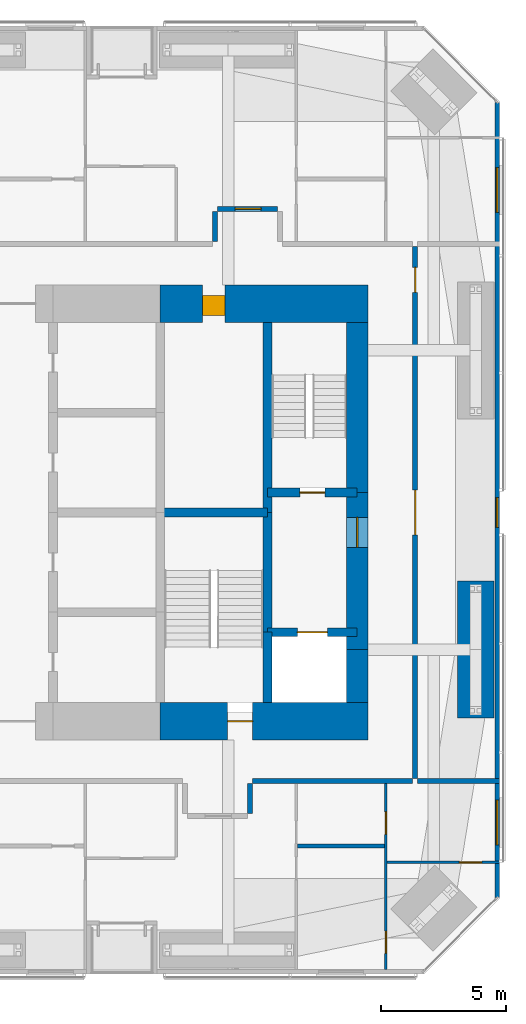
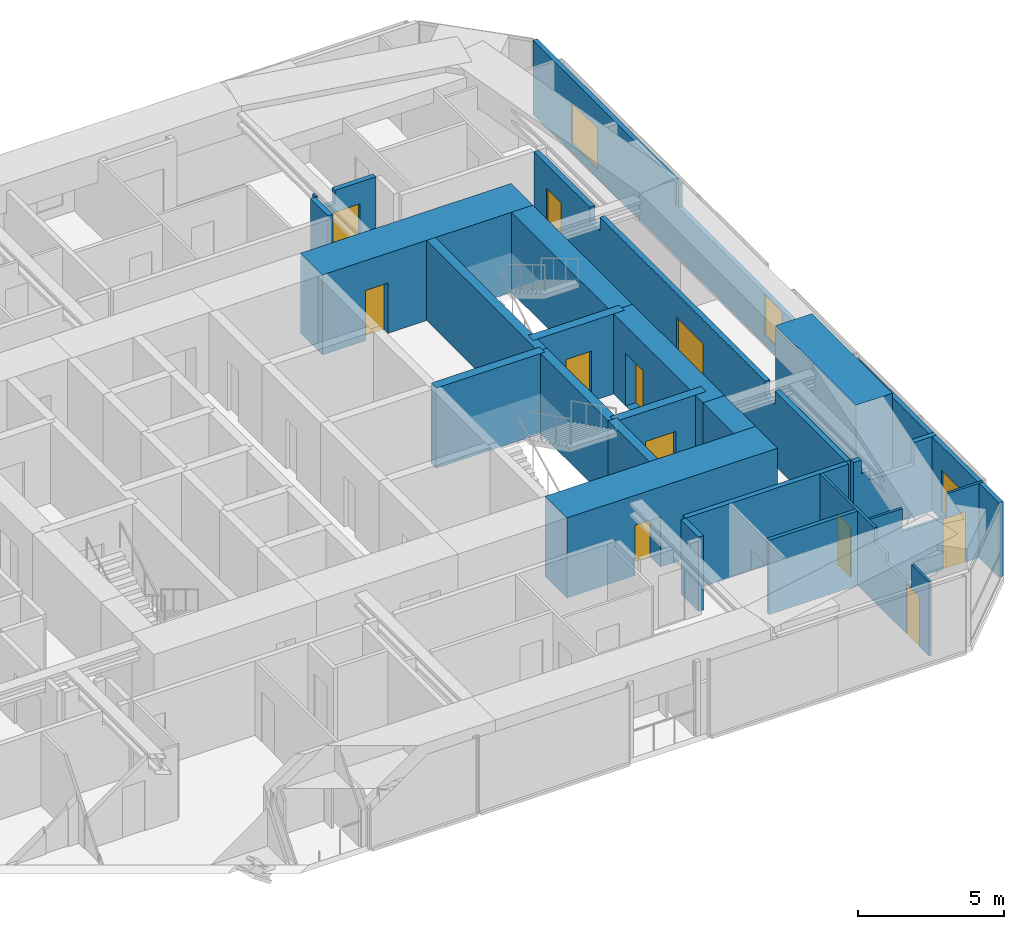
# One storey, part 21 of 24: 22 walls, 11 doors, 3 windows, 14 openings.
"""IFC4 building model written with IfcOpenShell, lengths in metres."""

from ifc_helpers import new_model, si_unit, direction, frame, frame_2d, origin, place, context, subcontext, project, spatial, polyline, rectangle, outline, extrude, material, layer, layer_set, constituent, constituent_set, type_object, element, fill, save


model = new_model("IFC4")

# Units and contexts
model_context = context("Model", 3, precision=1e-05, world=origin(), true_north=direction((0.0, 1.0)))
body_context = subcontext(model_context, "Body", "Model", "MODEL_VIEW")
ifc_project = project(units=[si_unit("LENGTHUNIT", "METRE"), si_unit("AREAUNIT", "SQUARE_METRE"), si_unit("VOLUMEUNIT", "CUBIC_METRE"), si_unit("PLANEANGLEUNIT", "RADIAN"), si_unit("MASSUNIT", "GRAM", prefix="KILO")], contexts=[model_context])

# Site, building, storey
site_placement = place(None, origin())
site = spatial("IfcSite", under=ifc_project, at=site_placement, CompositionType="ELEMENT")
building_placement = place(site_placement, origin())
building = spatial("IfcBuilding", under=site, at=building_placement, Name="Jalousie Tower", CompositionType="ELEMENT")
storey_placement = place(building_placement, frame((0.0, 0.0, 128.300048828125)))
storey = spatial("IfcBuildingStorey", under=building, at=storey_placement, Name="L35", CompositionType="ELEMENT", Elevation=128.300048828125)

# Wall
ifc_material_1 = material(Name="Concrete block ASTM C90", Category="concrete")
ifc_constituent_1 = constituent(ifc_material_1, Name="Body")
ifc_material_2 = material(Name="Render")
ifc_constituent_2 = constituent(ifc_material_2, Name="Finish")
ifc_constituent_set_1 = constituent_set(constituents=[ifc_constituent_1, ifc_constituent_2])
wall_type_1 = type_object("IfcWallType", Name="BATHROOM WALL 150", PredefinedType="PLUMBINGWALL", material=ifc_constituent_set_1)
wall_1_placement = place(storey_placement, frame((41.39990234375, 5.125, 0.0), z_axis=(0.0, 0.0, 1.0), x_axis=(1.0, 0.0, 0.0)))
element("IfcWall", 1, at=wall_1_placement, inside=storey, type_object=wall_type_1, Name="Bathroom Wall 150 L35", PredefinedType="PLUMBINGWALL", context=body_context, shape_type="SweptSolid", body=[
    extrude(rectangle(XDim=3.5, YDim=0.14990234375, at=frame_2d((1.75, 0.0))), origin(), (0.0, 0.0, 1.0), 3.10986328125),
])

# Wall, opening, door
ifc_material_3 = material(Name="Concrete f'c 120 MPa", Category="concrete")
ifc_layer_1 = layer(ifc_material_3, 1.5)
ifc_layer_set_1 = layer_set([ifc_layer_1], Name="Concrete f'c 120 MPa")
wall_type_2 = type_object("IfcWallType", Name="CORE WALL 1500", PredefinedType="SHEAR", material=ifc_layer_set_1)
wall_2_placement = place(storey_placement, frame((35.89990234375, 10.125, 0.0), z_axis=(0.0, 0.0, 1.0), x_axis=(1.0, 0.0, 0.0)))
wall_2 = element("IfcWall", 2, at=wall_2_placement, inside=storey, type_object=wall_type_2, Name="Core wall SD L35", PredefinedType="SHEAR", context=body_context, shape_type="SweptSolid", body=[
    extrude(rectangle(XDim=8.3251953125, YDim=1.5, at=frame_2d((4.16259765625, 0.0))), origin(), (0.0, 0.0, 1.0), 3.349853515625),
])
opening_1_placement = place(wall_2_placement, frame((2.699951171875, 0.0, 0.0)))
opening_1 = element("IfcOpeningElement", 3, at=opening_1_placement, cuts=wall_2, Name="Opening D10", PredefinedType="OPENING", context=body_context, shape_type="SweptSolid", body=[
    extrude(rectangle(XDim=1.0, YDim=2.10009765625, at=frame_2d((0.5, 1.050048828125))), frame((0.0, 0.760009765625, 0.0), z_axis=(0.0, -1.0, 0.0), x_axis=(1.0, 0.0, 0.0)), (0.0, 0.0, 1.0), 1.52001953125),
])
ifc_material_4 = material(Name="Steel fire door", Category="steel")
door_type_1 = type_object("IfcDoorType", Name="STAIR DOOR 1000", OperationType="SINGLE_SWING_LEFT", PredefinedType="DOOR", material=ifc_material_4)
door_1_placement = place(opening_1_placement, origin())
door_1 = element("IfcDoor", 4, at=door_1_placement, inside=storey, type_object=door_type_1, Name="Exit stair C door", OperationType="SINGLE_SWING_RIGHT", OverallHeight=2.10009765625, OverallWidth=1.0, PredefinedType="DOOR", context=body_context, shape_type="SweptSolid", body=[
    extrude(rectangle(XDim=1.0, YDim=2.10009765625, at=frame_2d((0.5, 1.050048828125))), frame((0.0, 0.02490234375, 0.0), z_axis=(0.0, -1.0, 0.0), x_axis=(1.0, 0.0, 0.0)), (0.0, 0.0, 1.0), 0.050048828125),
])
fill(opening_1, door_1)

wall_3_placement = place(storey_placement, frame((44.22509765625, 26.875, 0.0), z_axis=(0.0, 0.0, 1.0), x_axis=(-1.0, 0.0, 0.0)))
wall_3 = element("IfcWall", 5, at=wall_3_placement, inside=storey, type_object=wall_type_2, Name="Core wall NA L35", PredefinedType="SHEAR", context=body_context, shape_type="SweptSolid", body=[
    extrude(rectangle(XDim=8.3251953125, YDim=1.5, at=frame_2d((4.16259765625, 0.0))), origin(), (0.0, 0.0, 1.0), 3.349853515625),
])
opening_2_placement = place(wall_3_placement, frame((5.72509765625, 0.0, 0.0)))
opening_2 = element("IfcOpeningElement", 6, at=opening_2_placement, cuts=wall_3, Name="Opening D18", PredefinedType="OPENING", context=body_context, shape_type="SweptSolid", body=[
    extrude(rectangle(XDim=0.89990234375, YDim=2.10009765625, at=frame_2d((0.449951171875, 1.050048828125))), frame((0.0, 0.760009765625, 0.0), z_axis=(0.0, -1.0, 0.0), x_axis=(1.0, 0.0, 0.0)), (0.0, 0.0, 1.0), 1.52001953125),
])
ifc_material_5 = material(Name="Steel fire door", Category="steel")
door_type_2 = type_object("IfcDoorType", Name="CLEANER'S STORE DOOR 900", OperationType="SINGLE_SWING_LEFT", PredefinedType="DOOR", material=ifc_material_5)
door_2_placement = place(opening_2_placement, origin())
door_2 = element("IfcDoor", 7, at=door_2_placement, inside=storey, type_object=door_type_2, Name="Cleaner's store door", OperationType="SINGLE_SWING_LEFT", OverallHeight=2.10009765625, OverallWidth=0.89990234375, PredefinedType="DOOR", context=body_context, shape_type="SweptSolid", body=[
    extrude(rectangle(XDim=0.89990234375, YDim=2.10009765625, at=frame_2d((0.449951171875, 1.050048828125))), frame((0.0, 0.47021484375, 0.0), z_axis=(0.0, -1.0, 0.0), x_axis=(1.0, 0.0, 0.0)), (0.0, 0.0, 1.0), 0.800048828125),
])
fill(opening_2, door_2)

# Walls
ifc_material_6 = material(Name="Concrete f'c 120 MPa", Category="concrete")
ifc_layer_2 = layer(ifc_material_6, 0.35009765625)
ifc_layer_set_2 = layer_set([ifc_layer_2], Name="Concrete f'c 120 MPa")
wall_type_3 = type_object("IfcWallType", Name="CORE WALL 350", PredefinedType="SHEAR", material=ifc_layer_set_2)
wall_4_placement = place(storey_placement, frame((40.199951171875, 10.875, 0.0), z_axis=(0.0, 0.0, 1.0), x_axis=(0.0, 1.0, 0.0)))
element("IfcWall", 8, at=wall_4_placement, inside=storey, type_object=wall_type_3, Name="Core wall X40.2A L35", PredefinedType="SHEAR", context=body_context, shape_type="SweptSolid", body=[
    extrude(rectangle(XDim=2.824951171875, YDim=0.35009765625, at=frame_2d((1.41259765625, 0.0))), origin(), (0.0, 0.0, 1.0), 3.349853515625),
])
wall_5_placement = place(storey_placement, frame((40.199951171875, 13.699951171875, 0.0), z_axis=(0.0, 0.0, 1.0), x_axis=(0.0, 1.0, 0.0)))
element("IfcWall", 9, at=wall_5_placement, inside=storey, type_object=wall_type_3, Name="Core wall X40.2B L35", PredefinedType="SHEAR", context=body_context, shape_type="SweptSolid", body=[
    extrude(rectangle(XDim=4.800048828125, YDim=0.35009765625, at=frame_2d((2.39990234375, 0.0))), origin(), (0.0, 0.0, 1.0), 3.349853515625),
])
wall_6_placement = place(storey_placement, frame((40.199951171875, 18.5, 0.0), z_axis=(0.0, 0.0, 1.0), x_axis=(0.0, 1.0, 0.0)))
element("IfcWall", 10, at=wall_6_placement, inside=storey, type_object=wall_type_3, Name="Core wall X40.2C L35", PredefinedType="SHEAR", context=body_context, shape_type="SweptSolid", body=[
    extrude(rectangle(XDim=7.625, YDim=0.35009765625, at=frame_2d((3.8125, 0.0))), origin(), (0.0, 0.0, 1.0), 3.349853515625),
])
wall_7_placement = place(storey_placement, frame((35.89990234375, 18.5, 0.0), z_axis=(0.0, 0.0, 1.0), x_axis=(1.0, 0.0, 0.0)))
element("IfcWall", 11, at=wall_7_placement, inside=storey, type_object=wall_type_3, Name="Core wall Y35.9-18.5 L35", PredefinedType="SHEAR", context=body_context, shape_type="SweptSolid", body=[
    extrude(rectangle(XDim=4.300048828125, YDim=0.35009765625, at=frame_2d((2.14990234375, 0.0))), origin(), (0.0, 0.0, 1.0), 3.349853515625),
])

# Wall, opening, door
wall_8_placement = place(storey_placement, frame((40.199951171875, 13.699951171875, 0.0), z_axis=(0.0, 0.0, 1.0), x_axis=(1.0, 0.0, 0.0)))
wall_8 = element("IfcWall", 12, at=wall_8_placement, inside=storey, type_object=wall_type_3, Name="Core wall Y40.2-13.7 L35", PredefinedType="SHEAR", context=body_context, shape_type="SweptSolid", body=[
    extrude(rectangle(XDim=3.60009765625, YDim=0.35009765625, at=frame_2d((1.800048828125, 0.0))), origin(), (0.0, 0.0, 1.0), 3.349853515625),
])
opening_3_placement = place(wall_8_placement, frame((1.199951171875, 0.0, 0.0)))
opening_3 = element("IfcOpeningElement", 13, at=opening_3_placement, cuts=wall_8, Name="Opening LD2", PredefinedType="OPENING", context=body_context, shape_type="SweptSolid", body=[
    extrude(rectangle(XDim=1.199951171875, YDim=2.10009765625, at=frame_2d((0.60009765625, 1.050048828125))), frame((0.0, 0.18505859375, 0.0), z_axis=(0.0, -1.0, 0.0), x_axis=(1.0, 0.0, 0.0)), (0.0, 0.0, 1.0), 0.3701171875),
])
ifc_material_7 = material(Name="Steel lift landing door", Category="steel")
door_type_3 = type_object("IfcDoorType", Name="LIFT LANDING DOOR 1200", OperationType="SLIDING_TO_LEFT", PredefinedType="DOOR", material=ifc_material_7)
door_3_placement = place(opening_3_placement, origin())
door_3 = element("IfcDoor", 14, at=door_3_placement, inside=storey, type_object=door_type_3, Name="Lift F2 landing door", OperationType="SLIDING_TO_LEFT", OverallHeight=2.10009765625, OverallWidth=1.199951171875, PredefinedType="DOOR", context=body_context, shape_type="SweptSolid", body=[
    extrude(rectangle(XDim=1.199951171875, YDim=2.10009765625, at=frame_2d((0.60009765625, 1.050048828125))), frame((0.0, 0.02490234375, 0.0), z_axis=(0.0, -1.0, 0.0), x_axis=(1.0, 0.0, 0.0)), (0.0, 0.0, 1.0), 0.050048828125),
])
fill(opening_3, door_3)

wall_9_placement = place(storey_placement, frame((40.199951171875, 19.300048828125, 0.0), z_axis=(0.0, 0.0, 1.0), x_axis=(1.0, 0.0, 0.0)))
wall_9 = element("IfcWall", 15, at=wall_9_placement, inside=storey, type_object=wall_type_3, Name="Core wall Y40.2-19.3 L35", PredefinedType="SHEAR", context=body_context, shape_type="SweptSolid", body=[
    extrude(rectangle(XDim=3.60009765625, YDim=0.35009765625, at=frame_2d((1.800048828125, 0.0))), origin(), (0.0, 0.0, 1.0), 3.349853515625),
])
opening_4_placement = place(wall_9_placement, frame((1.300048828125, 0.0, 0.0)))
opening_4 = element("IfcOpeningElement", 16, at=opening_4_placement, cuts=wall_9, Name="Opening D10", PredefinedType="OPENING", context=body_context, shape_type="SweptSolid", body=[
    extrude(rectangle(XDim=1.0, YDim=2.10009765625, at=frame_2d((0.5, 1.050048828125))), frame((0.0, 0.18505859375, 0.0), z_axis=(0.0, -1.0, 0.0), x_axis=(1.0, 0.0, 0.0)), (0.0, 0.0, 1.0), 0.3701171875),
])
door_4_placement = place(opening_4_placement, origin())
door_4 = element("IfcDoor", 17, at=door_4_placement, inside=storey, type_object=door_type_1, Name="Exit stair B door", OperationType="SINGLE_SWING_RIGHT", OverallHeight=2.10009765625, OverallWidth=1.0, PredefinedType="DOOR", context=body_context, shape_type="SweptSolid", body=[
    extrude(rectangle(XDim=1.0, YDim=2.10009765625, at=frame_2d((0.5, 1.050048828125))), frame((0.0, 0.02490234375, 0.0), z_axis=(0.0, -1.0, 0.0), x_axis=(1.0, 0.0, 0.0)), (0.0, 0.0, 1.0), 0.050048828125),
])
fill(opening_4, door_4)

# Wall
ifc_material_8 = material(Name="Concrete f'c 120 MPa", Category="concrete")
ifc_layer_3 = layer(ifc_material_8, 0.85009765625)
ifc_layer_set_3 = layer_set([ifc_layer_3], Name="Concrete f'c 120 MPa")
wall_type_4 = type_object("IfcWallType", Name="CORE WALL 850", PredefinedType="SHEAR", material=ifc_layer_set_3)
wall_10_placement = place(storey_placement, frame((43.800048828125, 10.875, 0.0), z_axis=(0.0, 0.0, 1.0), x_axis=(0.0, 1.0, 0.0)))
element("IfcWall", 18, at=wall_10_placement, inside=storey, type_object=wall_type_4, Name="Core wall EA L35", PredefinedType="SHEAR", context=body_context, shape_type="SweptSolid", body=[
    extrude(rectangle(XDim=2.125, YDim=0.85009765625, at=frame_2d((1.0625, 0.0))), origin(), (0.0, 0.0, 1.0), 3.349853515625),
])

# Wall, opening, door
wall_11_placement = place(storey_placement, frame((43.800048828125, 13.0, 0.0), z_axis=(0.0, 0.0, 1.0), x_axis=(0.0, 1.0, 0.0)))
wall_11 = element("IfcWall", 19, at=wall_11_placement, inside=storey, type_object=wall_type_4, Name="Core wall EB L35", PredefinedType="SHEAR", context=body_context, shape_type="SweptSolid", body=[
    extrude(rectangle(XDim=6.300048828125, YDim=0.85009765625, at=frame_2d((3.14990234375, 0.0))), origin(), (0.0, 0.0, 1.0), 3.349853515625),
])
opening_5_placement = place(wall_11_placement, frame((4.10009765625, 0.0, 0.0)))
opening_5 = element("IfcOpeningElement", 20, at=opening_5_placement, cuts=wall_11, Name="Opening D11", PredefinedType="OPENING", context=body_context, shape_type="SweptSolid", body=[
    extrude(rectangle(XDim=1.199951171875, YDim=2.199951171875, at=frame_2d((0.60009765625, 1.10009765625))), frame((0.0, 0.43505859375, 0.0), z_axis=(0.0, -1.0, 0.0), x_axis=(1.0, 0.0, 0.0)), (0.0, 0.0, 1.0), 0.8701171875),
])
ifc_material_9 = material(Name="Steel fire door", Category="steel")
door_type_4 = type_object("IfcDoorType", Name="FIRE DOOR 1200", OperationType="SINGLE_SWING_LEFT", PredefinedType="DOOR", material=ifc_material_9)
door_5_placement = place(opening_5_placement, origin())
door_5 = element("IfcDoor", 21, at=door_5_placement, inside=storey, type_object=door_type_4, Name="Fire-fighting lobby B door", OperationType="SINGLE_SWING_RIGHT", OverallHeight=2.199951171875, OverallWidth=1.199951171875, PredefinedType="DOOR", context=body_context, shape_type="SweptSolid", body=[
    extrude(rectangle(XDim=1.199951171875, YDim=2.199951171875, at=frame_2d((0.60009765625, 1.10009765625))), frame((0.0, 0.02490234375, 0.0), z_axis=(0.0, -1.0, 0.0), x_axis=(1.0, 0.0, 0.0)), (0.0, 0.0, 1.0), 0.050048828125),
])
fill(opening_5, door_5)

# Wall
wall_12_placement = place(storey_placement, frame((43.800048828125, 19.300048828125, 0.0), z_axis=(0.0, 0.0, 1.0), x_axis=(0.0, 1.0, 0.0)))
element("IfcWall", 22, at=wall_12_placement, inside=storey, type_object=wall_type_4, Name="Core wall EC L35", PredefinedType="SHEAR", context=body_context, shape_type="SweptSolid", body=[
    extrude(rectangle(XDim=6.824951171875, YDim=0.85009765625, at=frame_2d((3.41259765625, 0.0))), origin(), (0.0, 0.0, 1.0), 3.349853515625),
])

# Wall, openings, doors
ifc_material_10 = material(Name="Concrete block ASTM C90", Category="concrete")
ifc_constituent_3 = constituent(ifc_material_10, Name="Body")
ifc_material_11 = material(Name="Render")
ifc_constituent_4 = constituent(ifc_material_11, Name="Finish")
ifc_constituent_set_2 = constituent_set(constituents=[ifc_constituent_3, ifc_constituent_4])
wall_type_5 = type_object("IfcWallType", Name="CORRIDOR WALL 200", PredefinedType="PARTITIONING", material=ifc_constituent_set_2)
wall_13_placement = place(storey_placement, frame((46.125, 7.824951171875, 0.0), z_axis=(0.0, 0.0, 1.0), x_axis=(0.0, 1.0, 0.0)))
wall_13 = element("IfcWall", 23, at=wall_13_placement, inside=storey, type_object=wall_type_5, Name="Corridor Wall 200 L35", PredefinedType="PARTITIONING", context=body_context, shape_type="SweptSolid", body=[
    extrude(outline(polyline([(0.0, 0.0), (21.35009765625, 0.0), (21.35009765625, 3.10986328125), (17.512451171875, 3.10986328125), (17.512451171875, 2.541015625), (16.837646484375, 2.541015625), (16.837646484375, 3.10986328125), (5.51220703125, 3.10986328125), (5.51220703125, 2.541015625), (4.837646484375, 2.541015625), (4.837646484375, 3.10986328125), (0.0, 3.10986328125), (0.0, 0.0)])), frame((0.0, 0.10009765625, 0.0), z_axis=(0.0, -1.0, 0.0), x_axis=(1.0, 0.0, 0.0)), (0.0, 0.0, 1.0), 0.199951171875),
])
opening_6_placement = place(wall_13_placement, frame((9.77490234375, 0.0, 0.0)))
opening_6 = element("IfcOpeningElement", 24, at=opening_6_placement, cuts=wall_13, Name="Opening D22", PredefinedType="OPENING", context=body_context, shape_type="SweptSolid", body=[
    extrude(rectangle(XDim=1.800048828125, YDim=2.10009765625, at=frame_2d((0.89990234375, 1.050048828125))), frame((0.0, 0.10986328125, 0.0), z_axis=(0.0, -1.0, 0.0), x_axis=(1.0, 0.0, 0.0)), (0.0, 0.0, 1.0), 0.219970703125),
])
opening_7_placement = place(wall_13_placement, frame((19.5, 0.0, 0.0)))
opening_7 = element("IfcOpeningElement", 25, at=opening_7_placement, cuts=wall_13, Name="Opening D21", PredefinedType="OPENING", context=body_context, shape_type="SweptSolid", body=[
    extrude(rectangle(XDim=1.0, YDim=2.10009765625, at=frame_2d((0.5, 1.050048828125))), frame((0.0, 0.10986328125, 0.0), z_axis=(0.0, -1.0, 0.0), x_axis=(1.0, 0.0, 0.0)), (0.0, 0.0, 1.0), 0.219970703125),
])
ifc_material_12 = material(Name="Timber fire door", Category="wood")
door_type_5 = type_object("IfcDoorType", Name="CORRIDOR DOOR 1000", OperationType="SINGLE_SWING_LEFT", PredefinedType="DOOR", material=ifc_material_12)
door_6_placement = place(opening_7_placement, frame((1.0, 0.0, 0.0), z_axis=(0.0, 0.0, 1.0), x_axis=(-1.0, 0.0, 0.0)))
door_6 = element("IfcDoor", 26, at=door_6_placement, inside=storey, type_object=door_type_5, Name="Lounge second door", OperationType="SINGLE_SWING_LEFT", OverallHeight=2.10009765625, OverallWidth=1.0, PredefinedType="DOOR", context=body_context, shape_type="SweptSolid", body=[
    extrude(rectangle(XDim=1.0, YDim=2.10009765625, at=frame_2d((0.5, 1.050048828125))), frame((0.0, 0.02490234375, 0.0), z_axis=(0.0, -1.0, 0.0), x_axis=(1.0, 0.0, 0.0)), (0.0, 0.0, 1.0), 0.050048828125),
])
fill(opening_7, door_6)
ifc_material_13 = material(Name="Timber fire door", Category="wood")
door_type_6 = type_object("IfcDoorType", Name="CORRIDOR DOUBLE DOOR 1800", OperationType="DOUBLE_DOOR_SINGLE_SWING", PredefinedType="DOOR", material=ifc_material_13)
door_7_placement = place(opening_6_placement, frame((1.800048828125, 0.0, 0.0), z_axis=(0.0, 0.0, 1.0), x_axis=(-1.0, 0.0, 0.0)))
door_7 = element("IfcDoor", 27, at=door_7_placement, inside=storey, type_object=door_type_6, Name="Lounge door", OperationType="DOUBLE_DOOR_SINGLE_SWING", OverallHeight=2.10009765625, OverallWidth=1.800048828125, PredefinedType="DOOR", context=body_context, shape_type="SweptSolid", body=[
    extrude(rectangle(XDim=1.800048828125, YDim=2.10009765625, at=frame_2d((0.89990234375, 1.050048828125))), frame((0.0, 0.02490234375, 0.0), z_axis=(0.0, -1.0, 0.0), x_axis=(1.0, 0.0, 0.0)), (0.0, 0.0, 1.0), 0.050048828125),
])
fill(opening_6, door_7)

# Walls
wall_14_placement = place(storey_placement, frame((39.60009765625, 7.72509765625, 0.0), z_axis=(0.0, 0.0, 1.0), x_axis=(1.0, 0.0, 0.0)))
element("IfcWall", 28, at=wall_14_placement, inside=storey, type_object=wall_type_5, Name="Corridor Wall 200 L35", PredefinedType="PARTITIONING", context=body_context, shape_type="SweptSolid", body=[
    extrude(rectangle(XDim=6.4248046875, YDim=0.199951171875, at=frame_2d((3.21240234375, 0.0))), origin(), (0.0, 0.0, 1.0), 3.10986328125),
])
wall_15_placement = place(storey_placement, frame((39.5, 7.625, 0.0), z_axis=(0.0, 0.0, 1.0), x_axis=(0.0, -1.0, 0.0)))
element("IfcWall", 29, at=wall_15_placement, inside=storey, type_object=wall_type_5, Name="Corridor Wall 200 L35", PredefinedType="PARTITIONING", context=body_context, shape_type="SweptSolid", body=[
    extrude(rectangle(XDim=1.199951171875, YDim=0.199951171875, at=frame_2d((0.60009765625, 0.0))), origin(), (0.0, 0.0, 1.0), 3.10986328125),
])

# Wall, opening, door
wall_16_placement = place(storey_placement, frame((38.199951171875, 30.675048828125, 0.0), z_axis=(0.0, 0.0, 1.0), x_axis=(1.0, 0.0, 0.0)))
wall_16 = element("IfcWall", 30, at=wall_16_placement, inside=storey, type_object=wall_type_5, Name="Corridor Wall 200 L35", PredefinedType="PARTITIONING", context=body_context, shape_type="SweptSolid", body=[
    extrude(outline(polyline([(0.0, 0.0), (2.400146484375, 0.0), (2.39990234375, 3.10986328125), (0.76220703125, 3.10986328125), (0.76220703125, 2.541015625), (0.087646484375, 2.541015625), (0.087646484375, 3.10986328125), (0.0, 3.10986328125), (0.0, 0.0)])), frame((0.0, 0.10009765625, 0.0), z_axis=(0.0, -1.0, 0.0), x_axis=(1.0, 0.0, 0.0)), (0.0, 0.0, 1.0), 0.199951171875),
])
opening_8_placement = place(wall_16_placement, frame((0.699951171875, 0.0, 0.0)))
opening_8 = element("IfcOpeningElement", 31, at=opening_8_placement, cuts=wall_16, Name="Opening D1", PredefinedType="OPENING", context=body_context, shape_type="SweptSolid", body=[
    extrude(rectangle(XDim=1.050048828125, YDim=2.199951171875, at=frame_2d((0.52490234375, 1.10009765625))), frame((0.0, 0.10986328125, 0.0), z_axis=(0.0, -1.0, 0.0), x_axis=(1.0, 0.0, 0.0)), (0.0, 0.0, 1.0), 0.219970703125),
])
ifc_material_14 = material(Name="Timber fire door", Category="wood")
door_type_7 = type_object("IfcDoorType", Name="APARTMENT ENTRANCE DOOR 1050", OperationType="SINGLE_SWING_LEFT", PredefinedType="DOOR", material=ifc_material_14)
door_8_placement = place(opening_8_placement, origin())
door_8 = element("IfcDoor", 32, at=door_8_placement, inside=storey, type_object=door_type_7, Name="Apartment 3504 entrance", OperationType="SINGLE_SWING_RIGHT", OverallHeight=2.199951171875, OverallWidth=1.050048828125, PredefinedType="DOOR", context=body_context, shape_type="SweptSolid", body=[
    extrude(rectangle(XDim=1.050048828125, YDim=2.199951171875, at=frame_2d((0.52490234375, 1.10009765625))), frame((0.0, 0.02490234375, 0.0), z_axis=(0.0, -1.0, 0.0), x_axis=(1.0, 0.0, 0.0)), (0.0, 0.0, 1.0), 0.050048828125),
])
fill(opening_8, door_8)

# Wall
wall_17_placement = place(storey_placement, frame((38.10009765625, 29.375, 0.0), z_axis=(0.0, 0.0, 1.0), x_axis=(0.0, 1.0, 0.0)))
element("IfcWall", 33, at=wall_17_placement, inside=storey, type_object=wall_type_5, Name="Corridor Wall 200 L35", PredefinedType="PARTITIONING", context=body_context, shape_type="SweptSolid", body=[
    extrude(rectangle(XDim=1.199951171875, YDim=0.199951171875, at=frame_2d((0.60009765625, 0.0))), origin(), (0.0, 0.0, 1.0), 3.10986328125),
])

# Wall, openings, windows
ifc_material_15 = material(Name="Concrete f'c 40 MPa", Category="concrete")
ifc_constituent_5 = constituent(ifc_material_15, Name="Body")
ifc_material_16 = material(Name="Render, pastel sea green")
ifc_constituent_6 = constituent(ifc_material_16, Name="Finish")
ifc_constituent_set_3 = constituent_set(constituents=[ifc_constituent_5, ifc_constituent_6])
wall_type_6 = type_object("IfcWallType", Name="EXTERNAL WALL 175 SEA GREEN RENDER", PredefinedType="SOLIDWALL", material=ifc_constituent_set_3)
wall_18_placement = place(storey_placement, frame((49.41259765625, 3.05126953125, 0.0), z_axis=(0.0, 0.0, 1.0), x_axis=(0.0, 1.0, 0.0)))
wall_18 = element("IfcWall", 34, at=wall_18_placement, inside=storey, type_object=wall_type_6, Name="External Wall 175 Sea Green Render L35", PredefinedType="SOLIDWALL", context=body_context, shape_type="SweptSolid", body=[
    extrude(outline(polyline([(0.0, 0.0), (31.8974609375, 0.0), (31.8974609375, 3.10986328125), (22.167236328125, 3.10986328125), (22.167236328125, 2.14990234375), (22.074462890625, 2.14990234375), (22.074462890625, 3.10986328125), (21.94873046875, 3.10986328125), (21.94873046875, 2.14990234375), (9.94873046875, 2.14990234375), (9.94873046875, 3.10986328125), (9.822998046875, 3.10986328125), (9.822998046875, 2.14990234375), (9.72998046875, 2.14990234375), (9.72998046875, 3.10986328125), (0.0, 3.10986328125), (0.0, 0.0)])), frame((0.0, 0.08740234375, 0.0), z_axis=(0.0, -1.0, 0.0), x_axis=(1.0, 0.0, 0.0)), (0.0, 0.0, 1.0), 0.175048828125),
])
opening_9_placement = place(wall_18_placement, frame((2.1181640625, 0.0, 0.39990234375)))
opening_9 = element("IfcOpeningElement", 35, at=opening_9_placement, cuts=wall_18, Name="Opening W-BED170", PredefinedType="OPENING", context=body_context, shape_type="SweptSolid", body=[
    extrude(rectangle(XDim=1.800048828125, YDim=1.699951171875, at=frame_2d((0.89990234375, 0.85009765625))), frame((0.0, 0.097412109375, 0.0), z_axis=(0.0, -1.0, 0.0), x_axis=(1.0, 0.0, 0.0)), (0.0, 0.0, 1.0), 0.195068359375),
])
opening_10_placement = place(wall_18_placement, frame((14.8486328125, 0.0, 0.39990234375)))
opening_10 = element("IfcOpeningElement", 36, at=opening_10_placement, cuts=wall_18, Name="Opening W-COR170", PredefinedType="OPENING", context=body_context, shape_type="SweptSolid", body=[
    extrude(rectangle(XDim=1.199951171875, YDim=1.699951171875, at=frame_2d((0.60009765625, 0.85009765625))), frame((0.0, 0.097412109375, 0.0), z_axis=(0.0, -1.0, 0.0), x_axis=(1.0, 0.0, 0.0)), (0.0, 0.0, 1.0), 0.195068359375),
])
opening_11_placement = place(wall_18_placement, frame((27.479248046875, 0.0, 0.39990234375)))
opening_11 = element("IfcOpeningElement", 37, at=opening_11_placement, cuts=wall_18, Name="Opening W-BED170", PredefinedType="OPENING", context=body_context, shape_type="SweptSolid", body=[
    extrude(rectangle(XDim=1.800048828125, YDim=1.699951171875, at=frame_2d((0.89990234375, 0.85009765625))), frame((0.0, 0.097412109375, 0.0), z_axis=(0.0, -1.0, 0.0), x_axis=(1.0, 0.0, 0.0)), (0.0, 0.0, 1.0), 0.195068359375),
])
ifc_material_17 = material(Name="Aluminium frame, impact-rated glazing", Category="aluminium")
window_type_1 = type_object("IfcWindowType", Name="WINDOW BED 1800x1700", PartitioningType="SINGLE_PANEL", PredefinedType="WINDOW", material=ifc_material_17)
window_1_placement = place(opening_9_placement, origin())
window_1 = element("IfcWindow", 38, at=window_1_placement, inside=storey, type_object=window_type_1, Name="Apartment 3502 bedroom 3 window", OverallHeight=1.699951171875, OverallWidth=1.800048828125, PartitioningType="SINGLE_PANEL", PredefinedType="WINDOW", context=body_context, shape_type="SweptSolid", body=[
    extrude(rectangle(XDim=1.800048828125, YDim=1.699951171875, at=frame_2d((0.89990234375, 0.85009765625))), frame((0.0, 0.030029296875, 0.0), z_axis=(0.0, -1.0, 0.0), x_axis=(1.0, 0.0, 0.0)), (0.0, 0.0, 1.0), 0.06005859375),
])
fill(opening_9, window_1)
window_2_placement = place(opening_11_placement, origin())
window_2 = element("IfcWindow", 39, at=window_2_placement, inside=storey, type_object=window_type_1, Name="Apartment 3504 bedroom 3 window", OverallHeight=1.699951171875, OverallWidth=1.800048828125, PartitioningType="SINGLE_PANEL", PredefinedType="WINDOW", context=body_context, shape_type="SweptSolid", body=[
    extrude(rectangle(XDim=1.800048828125, YDim=1.699951171875, at=frame_2d((0.89990234375, 0.85009765625))), frame((0.0, 0.030029296875, 0.0), z_axis=(0.0, -1.0, 0.0), x_axis=(1.0, 0.0, 0.0)), (0.0, 0.0, 1.0), 0.06005859375),
])
fill(opening_11, window_2)
ifc_material_18 = material(Name="Aluminium frame, impact-rated glazing", Category="aluminium")
window_type_2 = type_object("IfcWindowType", Name="WINDOW COR 1200x1700", PartitioningType="SINGLE_PANEL", PredefinedType="WINDOW", material=ifc_material_18)
window_3_placement = place(opening_10_placement, origin())
window_3 = element("IfcWindow", 40, at=window_3_placement, inside=storey, type_object=window_type_2, Name="Residents' lounge window", OverallHeight=1.699951171875, OverallWidth=1.199951171875, PartitioningType="SINGLE_PANEL", PredefinedType="WINDOW", context=body_context, shape_type="SweptSolid", body=[
    extrude(rectangle(XDim=1.199951171875, YDim=1.699951171875, at=frame_2d((0.60009765625, 0.85009765625))), frame((0.0, 0.030029296875, 0.0), z_axis=(0.0, -1.0, 0.0), x_axis=(1.0, 0.0, 0.0)), (0.0, 0.0, 1.0), 0.06005859375),
])
fill(opening_10, window_3)

# Wall, openings, doors
ifc_material_19 = material(Name="Gypsum board", Category="gypsum")
ifc_constituent_7 = constituent(ifc_material_19, Name="Body")
ifc_material_20 = material(Name="Light-gauge steel studs ASTM A653 SS Grade 33", Category="steel")
ifc_constituent_8 = constituent(ifc_material_20, Name="Framing")
ifc_constituent_set_4 = constituent_set(constituents=[ifc_constituent_7, ifc_constituent_8])
wall_type_7 = type_object("IfcWallType", Name="PARTITION 100", PredefinedType="PARTITIONING", material=ifc_constituent_set_4)
wall_19_placement = place(storey_placement, frame((44.949951171875, 0.175048828125, 0.0), z_axis=(0.0, 0.0, 1.0), x_axis=(0.0, 1.0, 0.0)))
wall_19 = element("IfcWall", 41, at=wall_19_placement, inside=storey, type_object=wall_type_7, Name="Partition 100 L35", PredefinedType="PARTITIONING", context=body_context, shape_type="SweptSolid", body=[
    extrude(outline(polyline([(0.0, 0.0), (7.449951171875, 0.0), (7.449951171875, 3.10986328125), (3.71630859375, 3.10986328125), (3.71630859375, 2.510009765625), (2.94287109375, 2.510009765625), (2.94287109375, 2.14990234375), (1.1875, 2.14990234375), (1.1875, 3.10986328125), (0.0, 3.10986328125), (0.0, 0.0)])), frame((0.0, 0.050048828125, 0.0), z_axis=(0.0, -1.0, 0.0), x_axis=(1.0, 0.0, 0.0)), (0.0, 0.0, 1.0), 0.10009765625),
])
opening_12_placement = place(wall_19_placement, frame((0.638916015625, 0.0, 0.0)))
opening_12 = element("IfcOpeningElement", 42, at=opening_12_placement, cuts=wall_19, Name="Opening D2", PredefinedType="OPENING", context=body_context, shape_type="SweptSolid", body=[
    extrude(rectangle(XDim=0.89990234375, YDim=2.10009765625, at=frame_2d((0.449951171875, 1.050048828125))), frame((0.0, 0.06005859375, 0.0), z_axis=(0.0, -1.0, 0.0), x_axis=(1.0, 0.0, 0.0)), (0.0, 0.0, 1.0), 0.1201171875),
])
opening_13_placement = place(wall_19_placement, frame((5.41943359375, 0.0, 0.0)))
opening_13 = element("IfcOpeningElement", 43, at=opening_13_placement, cuts=wall_19, Name="Opening D3", PredefinedType="OPENING", context=body_context, shape_type="SweptSolid", body=[
    extrude(rectangle(XDim=0.89990234375, YDim=2.10009765625, at=frame_2d((0.449951171875, 1.050048828125))), frame((0.0, 0.06005859375, 0.0), z_axis=(0.0, -1.0, 0.0), x_axis=(1.0, 0.0, 0.0)), (0.0, 0.0, 1.0), 0.1201171875),
])
ifc_material_21 = material(Name="Timber door", Category="wood")
door_type_8 = type_object("IfcDoorType", Name="BATHROOM DOOR 900", OperationType="SINGLE_SWING_LEFT", PredefinedType="DOOR", material=ifc_material_21)
door_9_placement = place(opening_13_placement, origin())
door_9 = element("IfcDoor", 44, at=door_9_placement, inside=storey, type_object=door_type_8, Name="Apartment 3502 bedroom 3 bathroom door", OperationType="SINGLE_SWING_LEFT", OverallHeight=2.10009765625, OverallWidth=0.89990234375, PredefinedType="DOOR", context=body_context, shape_type="SweptSolid", body=[
    extrude(rectangle(XDim=0.89990234375, YDim=2.10009765625, at=frame_2d((0.449951171875, 1.050048828125))), frame((0.0, 0.02490234375, 0.0), z_axis=(0.0, -1.0, 0.0), x_axis=(1.0, 0.0, 0.0)), (0.0, 0.0, 1.0), 0.050048828125),
])
fill(opening_13, door_9)
ifc_material_22 = material(Name="Timber door", Category="wood")
door_type_9 = type_object("IfcDoorType", Name="BEDROOM DOOR 900", OperationType="SINGLE_SWING_LEFT", PredefinedType="DOOR", material=ifc_material_22)
door_10_placement = place(opening_12_placement, origin())
door_10 = element("IfcDoor", 45, at=door_10_placement, inside=storey, type_object=door_type_9, Name="Apartment 3502 bedroom 3 door", OperationType="SINGLE_SWING_LEFT", OverallHeight=2.10009765625, OverallWidth=0.89990234375, PredefinedType="DOOR", context=body_context, shape_type="SweptSolid", body=[
    extrude(rectangle(XDim=0.89990234375, YDim=2.10009765625, at=frame_2d((0.449951171875, 1.050048828125))), frame((0.0, 0.02490234375, 0.0), z_axis=(0.0, -1.0, 0.0), x_axis=(1.0, 0.0, 0.0)), (0.0, 0.0, 1.0), 0.050048828125),
])
fill(opening_12, door_10)

# Wall, opening, door
wall_20_placement = place(storey_placement, frame((45.0, 4.4638671875, 0.0), z_axis=(0.0, 0.0, 1.0), x_axis=(1.0, 0.0, 0.0)))
wall_20 = element("IfcWall", 46, at=wall_20_placement, inside=storey, type_object=wall_type_7, Name="Partition 100 L35", PredefinedType="PARTITIONING", context=body_context, shape_type="SweptSolid", body=[
    extrude(outline(polyline([(0.0, 0.0), (4.5, 0.0), (4.5, 3.10986328125), (3.037109375, 3.10986328125), (3.037109375, 2.14990234375), (1.29443359375, 2.14990234375), (1.29443359375, 3.10986328125), (0.0, 3.10986328125), (0.0, 0.0)])), frame((0.0, 0.050048828125, 0.0), z_axis=(0.0, -1.0, 0.0), x_axis=(1.0, 0.0, 0.0)), (0.0, 0.0, 1.0), 0.10009765625),
])
opening_14_placement = place(wall_20_placement, frame((2.89990234375, 0.0, 0.0)))
opening_14 = element("IfcOpeningElement", 47, at=opening_14_placement, cuts=wall_20, Name="Opening D7", PredefinedType="OPENING", context=body_context, shape_type="SweptSolid", body=[
    extrude(rectangle(XDim=0.89990234375, YDim=2.10009765625, at=frame_2d((0.449951171875, 1.050048828125))), frame((0.0, 0.06005859375, 0.0), z_axis=(0.0, -1.0, 0.0), x_axis=(1.0, 0.0, 0.0)), (0.0, 0.0, 1.0), 0.1201171875),
])
ifc_material_23 = material(Name="Timber door", Category="wood")
door_type_10 = type_object("IfcDoorType", Name="INTERNAL DOOR 900", OperationType="SINGLE_SWING_LEFT", PredefinedType="DOOR", material=ifc_material_23)
door_11_placement = place(opening_14_placement, origin())
door_11 = element("IfcDoor", 48, at=door_11_placement, inside=storey, type_object=door_type_10, Name="Apartment 3502 bedroom 3 dressing hall door", OperationType="SINGLE_SWING_RIGHT", OverallHeight=2.10009765625, OverallWidth=0.89990234375, PredefinedType="DOOR", context=body_context, shape_type="SweptSolid", body=[
    extrude(rectangle(XDim=0.89990234375, YDim=2.10009765625, at=frame_2d((0.449951171875, 1.050048828125))), frame((0.0, 0.02490234375, 0.0), z_axis=(0.0, -1.0, 0.0), x_axis=(1.0, 0.0, 0.0)), (0.0, 0.0, 1.0), 0.050048828125),
])
fill(opening_14, door_11)

# Walls
ifc_material_24 = material(Name="Concrete block ASTM C90", Category="concrete")
ifc_constituent_9 = constituent(ifc_material_24, Name="Body")
ifc_material_25 = material(Name="Render")
ifc_constituent_10 = constituent(ifc_material_25, Name="Finish")
ifc_constituent_set_5 = constituent_set(constituents=[ifc_constituent_9, ifc_constituent_10])
wall_type_8 = type_object("IfcWallType", Name="PARTY WALL 200", PredefinedType="PARTITIONING", material=ifc_constituent_set_5)
wall_21_placement = place(storey_placement, frame((46.22509765625, 7.72509765625, 0.0), z_axis=(0.0, 0.0, 1.0), x_axis=(1.0, 0.0, 0.0)))
element("IfcWall", 49, at=wall_21_placement, inside=storey, type_object=wall_type_8, Name="Party Wall 200 L35", PredefinedType="PARTITIONING", context=body_context, shape_type="SweptSolid", body=[
    extrude(outline(polyline([(0.0, 0.0), (3.27490234375, 0.0), (3.27490234375, 3.10986328125), (2.3916015625, 3.10986328125), (2.3916015625, 2.14990234375), (0.642822265625, 2.14990234375), (0.642822265625, 2.541015625), (0.30615234375, 2.541015625), (0.30615234375, 3.10986328125), (0.0, 3.10986328125), (0.0, 0.0)])), frame((0.0, 0.10009765625, 0.0), z_axis=(0.0, -1.0, 0.0), x_axis=(1.0, 0.0, 0.0)), (0.0, 0.0, 1.0), 0.199951171875),
])
ifc_material_26 = material(Name="Concrete f'c 120 MPa", Category="concrete")
ifc_layer_4 = layer(ifc_material_26, 1.449951171875)
ifc_layer_set_4 = layer_set([ifc_layer_4], Name="Concrete f'c 120 MPa")
wall_type_9 = type_object("IfcWallType", Name="RC WALL PIER 1450", PredefinedType="SHEAR", material=ifc_layer_set_4)
wall_22_placement = place(storey_placement, frame((48.550048828125, 10.25, 0.0), z_axis=(0.0, 0.0, 1.0), x_axis=(0.0, 1.0, 0.0)))
element("IfcWall", 50, at=wall_22_placement, inside=storey, type_object=wall_type_9, Name="Wall pier 06 L35", PredefinedType="SHEAR", context=body_context, shape_type="SweptSolid", body=[
    extrude(rectangle(XDim=5.5, YDim=1.449951171875, at=frame_2d((2.75, 0.0))), origin(), (0.0, 0.0, 1.0), 3.349853515625),
])

save(model, "model.ifc")
